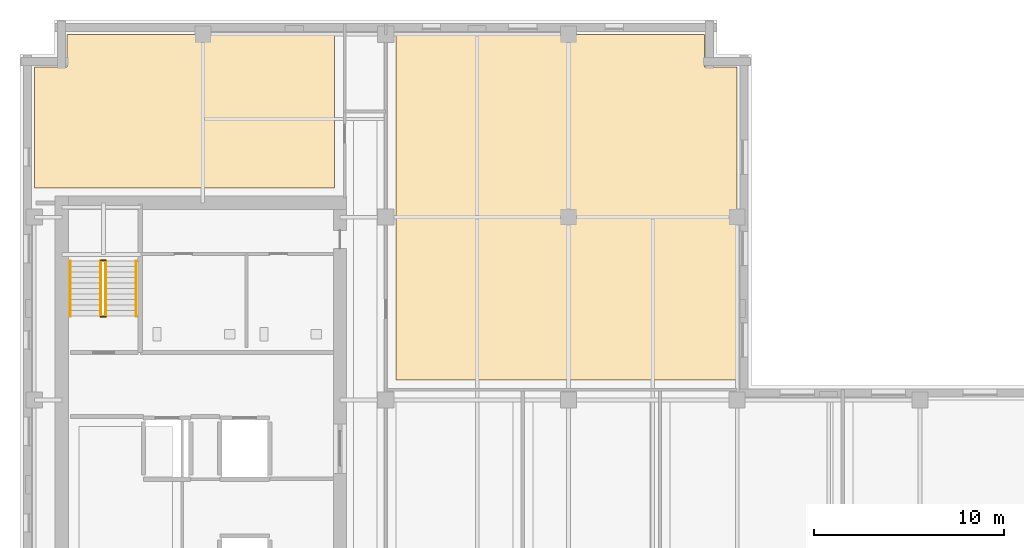
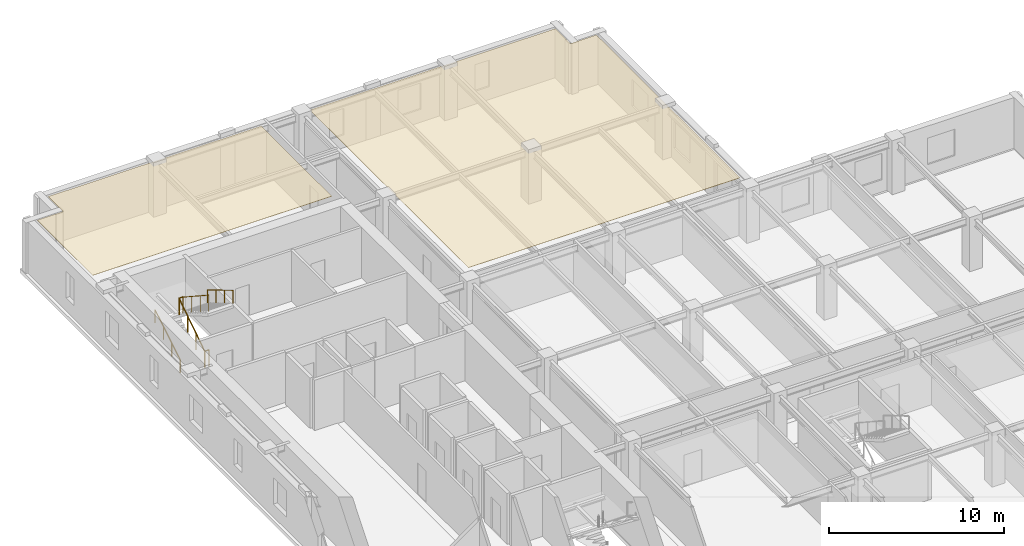
# One storey, part 10 of 11: 6 railings, 2 coverings.
"""IFC4 building model written with IfcOpenShell, lengths in metres."""

from ifc_helpers import new_model, si_unit, direction, frame, origin, origin_2d, place, context, subcontext, project, spatial, polyline, circle, outline, extrude, material, layer, layer_set, type_object, element, save


model = new_model("IFC4")

# Units and contexts
model_context = context("Model", 3, precision=1e-05, world=origin(), true_north=direction((0.0, 1.0)))
body_context = subcontext(model_context, "Body", "Model", "MODEL_VIEW")
ifc_project = project(units=[si_unit("LENGTHUNIT", "METRE"), si_unit("AREAUNIT", "SQUARE_METRE"), si_unit("VOLUMEUNIT", "CUBIC_METRE"), si_unit("PLANEANGLEUNIT", "RADIAN"), si_unit("MASSUNIT", "GRAM", prefix="KILO")], contexts=[model_context])

# Site, building, storey
site_placement = place(None, origin())
site = spatial("IfcSite", under=ifc_project, at=site_placement, CompositionType="ELEMENT")
building_placement = place(site_placement, origin())
building = spatial("IfcBuilding", under=site, at=building_placement, Name="Norrvale University Quadrangle", CompositionType="ELEMENT")
storey_placement = place(building_placement, frame((0.0, 0.0, 202.800048828125)))
storey = spatial("IfcBuildingStorey", under=building, at=storey_placement, Name="L51", CompositionType="ELEMENT", Elevation=202.800048828125)

# Coverings
ifc_material_1 = material(Name="Perforated Acoustic Mineral Ceiling")
ifc_layer = layer(ifc_material_1, 0.02490234375, Name="Perforated Acoustic Mineral Ceiling")
ifc_layer_set = layer_set([ifc_layer], Name="Perforated Acoustic Mineral Ceiling")
covering_type = type_object("IfcCoveringType", Name="Covering Acoustic Ceiling 25", PredefinedType="CEILING", material=ifc_layer_set)
covering_1_placement = place(storey_placement, frame((0.0, 0.0, 3.514892578125)))
element("IfcCovering", 1, at=covering_1_placement, inside=storey, type_object=covering_type, Name="Acoustic Ceiling RM-L51-NE01", PredefinedType="CEILING", context=body_context, shape_type="SweptSolid", body=[
    extrude(outline(polyline([(37.64990234375, 38.7099609375), (19.72998046875, 38.7099609375), (19.72998046875, 56.85009765625), (35.929931640625, 56.85009765625), (35.929931640625, 55.1298828125), (37.64990234375, 55.1298828125), (37.64990234375, 38.7099609375)])), origin(), (0.0, 0.0, 1.0), 0.025146484375),
])
covering_2_placement = place(storey_placement, frame((0.0, 0.0, 3.514892578125)))
element("IfcCovering", 2, at=covering_2_placement, inside=storey, type_object=covering_type, Name="Acoustic Ceiling RM-L51-NW01", PredefinedType="CEILING", context=body_context, shape_type="SweptSolid", body=[
    extrude(outline(polyline([(16.52001953125, 56.85009765625), (16.52001953125, 48.780029296875), (0.75, 48.780029296875), (0.75, 55.1298828125), (2.469970703125, 55.1298828125), (2.469970703125, 56.85009765625), (16.52001953125, 56.85009765625)])), origin(), (0.0, 0.0, 1.0), 0.025146484375),
])

# Railings
ifc_material_2 = material(Name="Steel 350W Painted Balustrade", Category="steel")
railing_type_1 = type_object("IfcRailingType", Name="Railing Stair Guard 1100", PredefinedType="GUARDRAIL", material=ifc_material_2)
for number, where, name in (
    (3, (4.239990234375, 42.02001953125, 0.0), "Stair Floor Well Guard ST-02 L51"),
    (4, (4.239990234375, 44.97998046875, 1.89990234375), "Stair Mid-Landing Slot Guard ST-02 L51"),
):
    element("IfcRailing", number, at=place(storey_placement, frame(where)), inside=storey, type_object=railing_type_1, Name=name, PredefinedType="GUARDRAIL", context=body_context, shape_type="SweptSolid", body=[
        extrude(circle(Radius=0.02392578125, at=origin_2d()), frame((0.0, 0.0, 1.1259765625), z_axis=(1.0, 0.0, 0.0), x_axis=(0.0, 1.0, 0.0)), (0.0, 0.0, 1.0), 0.27001953125),
        extrude(circle(Radius=0.02099609375, at=origin_2d()), origin(), (0.0, 0.0, 1.0), 1.101806640625),
        extrude(circle(Radius=0.02099609375, at=origin_2d()), frame((0.27001953125, 0.0, 0.0)), (0.0, 0.0, 1.0), 1.101806640625),
    ])
railing_1_placement = place(storey_placement, frame((4.239990234375, 42.050048828125, 0.0)))
element("IfcRailing", 5, at=railing_1_placement, inside=storey, type_object=railing_type_1, Name="Stair Lower Flight Inner Guard ST-02 L51", PredefinedType="GUARDRAIL", context=body_context, shape_type="SweptSolid", body=[
    extrude(circle(Radius=0.02392578125, at=origin_2d()), frame((0.0, 0.0, 1.1259765625), z_axis=(0.0, 0.836465582154, 0.548019461216), x_axis=(-1.0, 0.0, 0.0)), (0.0, 0.0, 1.0), 3.466796875),
    extrude(circle(Radius=0.02099609375, at=origin_2d()), origin(), (0.0, 0.0, 1.0), 1.101806640625),
    extrude(circle(Radius=0.02099609375, at=origin_2d()), frame((0.0, 0.966552734375, 0.63330078125)), (0.0, 0.0, 1.0), 1.101806640625),
    extrude(circle(Radius=0.02099609375, at=origin_2d()), frame((0.0, 1.933349609375, 1.2666015625)), (0.0, 0.0, 1.0), 1.101806640625),
    extrude(circle(Radius=0.02099609375, at=origin_2d()), frame((0.0, 2.89990234375, 1.89990234375)), (0.0, 0.0, 1.0), 1.101806640625),
])
railing_2_placement = place(storey_placement, frame((4.510009765625, 44.949951171875, 1.89990234375)))
element("IfcRailing", 6, at=railing_2_placement, inside=storey, type_object=railing_type_1, Name="Stair Upper Flight Inner Guard ST-02 L51", PredefinedType="GUARDRAIL", context=body_context, shape_type="SweptSolid", body=[
    extrude(circle(Radius=0.02392578125, at=origin_2d()), frame((0.0, 0.0, 1.1259765625), z_axis=(0.0, -0.836433300813, 0.548068730445), x_axis=(1.0, 0.0, 0.0)), (0.0, 0.0, 1.0), 3.467041015625),
    extrude(circle(Radius=0.02099609375, at=origin_2d()), origin(), (0.0, 0.0, 1.0), 1.101806640625),
    extrude(circle(Radius=0.02099609375, at=origin_2d()), frame((0.0, -0.966552734375, 0.63330078125)), (0.0, 0.0, 1.0), 1.101806640625),
    extrude(circle(Radius=0.02099609375, at=origin_2d()), frame((0.0, -1.933349609375, 1.266845703125)), (0.0, 0.0, 1.0), 1.101806640625),
    extrude(circle(Radius=0.02099609375, at=origin_2d()), frame((0.0, -2.89990234375, 1.900146484375)), (0.0, 0.0, 1.0), 1.101806640625),
])
ifc_material_3 = material(Name="Stainless Steel 316L Handrail", Category="steel")
railing_type_2 = type_object("IfcRailingType", Name="Railing Stair Handrail 920", PredefinedType="HANDRAIL", material=ifc_material_3)
railing_3_placement = place(storey_placement, frame((2.639892578125, 42.050048828125, 0.172607421875)))
element("IfcRailing", 7, at=railing_3_placement, inside=storey, type_object=railing_type_2, Name="Stair Lower Flight Handrail ST-02 L51", PredefinedType="HANDRAIL", context=body_context, shape_type="SweptSolid", body=[
    extrude(circle(Radius=0.02392578125, at=origin_2d()), frame((0.0, 0.0, 0.89599609375), z_axis=(0.0, 0.859141464434, 0.511738159696), x_axis=(-1.0, 0.0, 0.0)), (0.0, 0.0, 1.0), 3.375244140625),
    extrude(circle(Radius=0.02099609375, at=origin_2d()), origin(), (0.0, 0.0, 1.0), 0.871826171875),
    extrude(circle(Radius=0.02099609375, at=origin_2d()), frame((0.0, 0.966552734375, 0.57568359375)), (0.0, 0.0, 1.0), 0.871826171875),
    extrude(circle(Radius=0.02099609375, at=origin_2d()), frame((0.0, 1.933349609375, 1.151611328125)), (0.0, 0.0, 1.0), 0.871826171875),
    extrude(circle(Radius=0.02099609375, at=origin_2d()), frame((0.0, 2.89990234375, 1.727294921875)), (0.0, 0.0, 1.0), 0.871826171875),
])
railing_4_placement = place(storey_placement, frame((6.110107421875, 44.949951171875, 2.07275390625)))
element("IfcRailing", 8, at=railing_4_placement, inside=storey, type_object=railing_type_2, Name="Stair Upper Flight Handrail ST-02 L51", PredefinedType="HANDRAIL", context=body_context, shape_type="SweptSolid", body=[
    extrude(circle(Radius=0.02392578125, at=origin_2d()), frame((0.0, 0.0, 0.89599609375), z_axis=(0.0, -0.859141464434, 0.511738159696), x_axis=(1.0, 0.0, 0.0)), (0.0, 0.0, 1.0), 3.375244140625),
    extrude(circle(Radius=0.02099609375, at=origin_2d()), origin(), (0.0, 0.0, 1.0), 0.871826171875),
    extrude(circle(Radius=0.02099609375, at=origin_2d()), frame((0.0, -0.966552734375, 0.57568359375)), (0.0, 0.0, 1.0), 0.871826171875),
    extrude(circle(Radius=0.02099609375, at=origin_2d()), frame((0.0, -1.933349609375, 1.151611328125)), (0.0, 0.0, 1.0), 0.871826171875),
    extrude(circle(Radius=0.02099609375, at=origin_2d()), frame((0.0, -2.89990234375, 1.727294921875)), (0.0, 0.0, 1.0), 0.871826171875),
])

save(model, "model.ifc")
